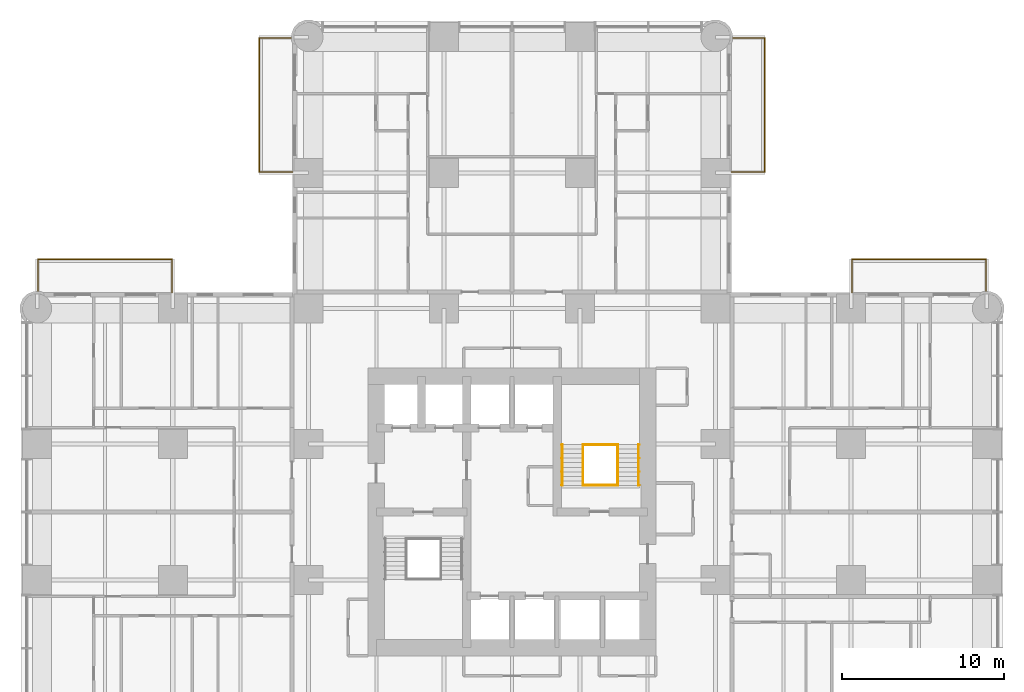
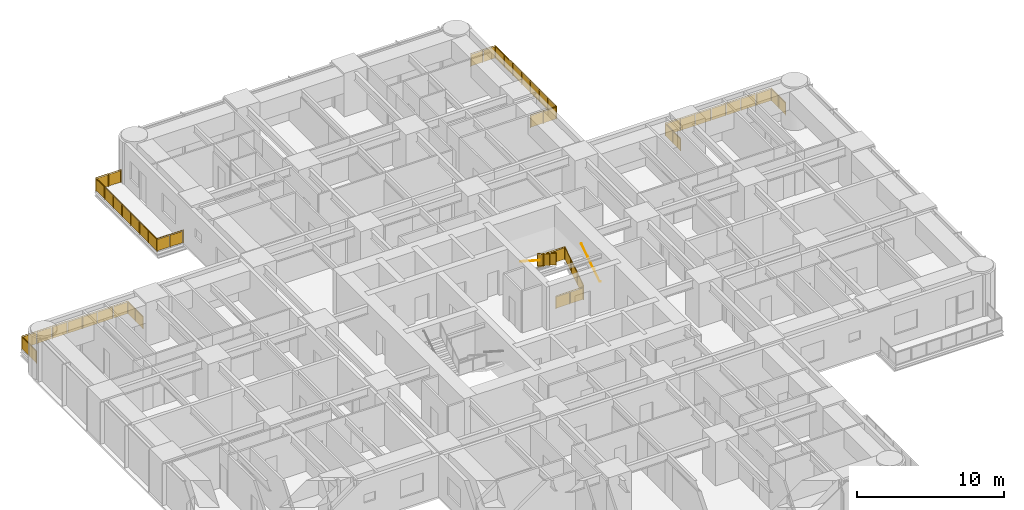
# One storey, part 17 of 17: 10 railings.
"""IFC4 building model written with IfcOpenShell, lengths in metres."""

from ifc_helpers import new_model, si_unit, direction, frame, origin, origin_2d, place, context, subcontext, project, spatial, polyline, circle, outline, extrude, material, constituent, constituent_set, type_object, element, save


model = new_model("IFC4")

# Units and contexts
model_context = context("Model", 3, precision=1e-05, world=origin(), true_north=direction((0.0, 1.0)))
body_context = subcontext(model_context, "Body", "Model", "MODEL_VIEW")
ifc_project = project(units=[si_unit("LENGTHUNIT", "METRE"), si_unit("AREAUNIT", "SQUARE_METRE"), si_unit("VOLUMEUNIT", "CUBIC_METRE"), si_unit("PLANEANGLEUNIT", "RADIAN"), si_unit("MASSUNIT", "GRAM", prefix="KILO")], contexts=[model_context])

# Site, building, storey
site_placement = place(None, origin())
site = spatial("IfcSite", under=ifc_project, at=site_placement, CompositionType="ELEMENT")
building_placement = place(site_placement, origin())
building = spatial("IfcBuilding", under=site, at=building_placement, Name="Torre Alcanfor", CompositionType="ELEMENT")
storey_placement = place(building_placement, frame((0.0, 0.0, 52.5)))
storey = spatial("IfcBuildingStorey", under=building, at=storey_placement, Name="L12", CompositionType="ELEMENT", Elevation=52.5)

# Railings
ifc_material_1 = material(Name="Laminated safety glass", Category="glass")
ifc_constituent_1 = constituent(ifc_material_1, Name="Infill")
ifc_material_2 = material(Name="Stainless steel ASTM A554 Grade MT 316L tube", Category="steel")
ifc_constituent_2 = constituent(ifc_material_2, Name="Posts and rail")
ifc_constituent_set = constituent_set(constituents=[ifc_constituent_1, ifc_constituent_2], Name="Balcony guard glass 1100")
railing_type_1 = type_object("IfcRailingType", Name="Balcony guard glass 1100", PredefinedType="BALUSTRADE", material=ifc_constituent_set)
railing_1_placement = place(storey_placement, frame((15.800048828125, 50.449951171875, 0.0)))
element("IfcRailing", 1, at=railing_1_placement, inside=storey, type_object=railing_type_1, Name="Balcony guard L12-N1", PredefinedType="BALUSTRADE", context=body_context, shape_type="SweptSolid", body=[
    extrude(circle(Radius=0.02392578125, at=origin_2d()), frame((0.0, 0.0, 1.076171875), z_axis=(-1.0, 0.0, 0.0), x_axis=(0.0, -1.0, 0.0)), (0.0, 0.0, 1.0), 2.050048828125),
    extrude(circle(Radius=0.02392578125, at=origin_2d()), frame((-2.050048828125, 0.0, 1.076171875), z_axis=(0.0, 1.0, 0.0), x_axis=(-1.0, 0.0, 0.0)), (0.0, 0.0, 1.0), 8.300048828125),
    extrude(circle(Radius=0.02392578125, at=origin_2d()), frame((-2.050048828125, 8.300048828125, 1.076171875), z_axis=(1.0, 0.0, 0.0), x_axis=(0.0, 1.0, 0.0)), (0.0, 0.0, 1.0), 1.968994140625),
    extrude(circle(Radius=0.02099609375, at=origin_2d()), origin(), (0.0, 0.0, 1.0), 1.052001953125),
    extrude(circle(Radius=0.02099609375, at=origin_2d()), frame((-1.02490234375, 0.0, 0.0)), (0.0, 0.0, 1.0), 1.052001953125),
    extrude(circle(Radius=0.02099609375, at=origin_2d()), frame((-2.050048828125, 0.0, 0.0)), (0.0, 0.0, 1.0), 1.052001953125),
    extrude(circle(Radius=0.02099609375, at=origin_2d()), frame((-2.050048828125, 1.185791015625, 0.0)), (0.0, 0.0, 1.0), 1.052001953125),
    extrude(circle(Radius=0.02099609375, at=origin_2d()), frame((-2.050048828125, 2.371337890625, 0.0)), (0.0, 0.0, 1.0), 1.052001953125),
    extrude(circle(Radius=0.02099609375, at=origin_2d()), frame((-2.050048828125, 3.55712890625, 0.0)), (0.0, 0.0, 1.0), 1.052001953125),
    extrude(circle(Radius=0.02099609375, at=origin_2d()), frame((-2.050048828125, 4.742919921875, 0.0)), (0.0, 0.0, 1.0), 1.052001953125),
    extrude(circle(Radius=0.02099609375, at=origin_2d()), frame((-2.050048828125, 5.9287109375, 0.0)), (0.0, 0.0, 1.0), 1.052001953125),
    extrude(circle(Radius=0.02099609375, at=origin_2d()), frame((-2.050048828125, 7.1142578125, 0.0)), (0.0, 0.0, 1.0), 1.052001953125),
    extrude(circle(Radius=0.02099609375, at=origin_2d()), frame((-2.050048828125, 8.300048828125, 0.0)), (0.0, 0.0, 1.0), 1.052001953125),
    extrude(circle(Radius=0.02099609375, at=origin_2d()), frame((-1.0654296875, 8.300048828125, 0.0)), (0.0, 0.0, 1.0), 1.052001953125),
    extrude(circle(Radius=0.02099609375, at=origin_2d()), frame((-0.0810546875, 8.300048828125, 0.0)), (0.0, 0.0, 1.0), 1.052001953125),
    extrude(outline(polyline([(0.041015625, 0.050048828125), (0.984130859375, 0.050048828125), (0.984130859375, 1.001953125), (0.041015625, 1.001953125), (0.041015625, 0.050048828125)])), frame((0.0, -0.005859375, 0.0), z_axis=(0.0, 1.0, 0.0), x_axis=(-1.0, 0.0, 0.0)), (0.0, 0.0, 1.0), 0.011962890625),
    extrude(outline(polyline([(1.06591796875, 0.050048828125), (2.009033203125, 0.050048828125), (2.009033203125, 1.001953125), (1.06591796875, 1.001953125), (1.06591796875, 0.050048828125)])), frame((0.0, -0.005859375, 0.0), z_axis=(0.0, 1.0, 0.0), x_axis=(-1.0, 0.0, 0.0)), (0.0, 0.0, 1.0), 0.011962890625),
    extrude(outline(polyline([(0.041015625, 0.050048828125), (1.144775390625, 0.050048828125), (1.144775390625, 1.001953125), (0.041015625, 1.001953125), (0.041015625, 0.050048828125)])), frame((-2.05615234375, 0.0, 0.0), z_axis=(1.0, 0.0, 0.0), x_axis=(0.0, 1.0, 0.0)), (0.0, 0.0, 1.0), 0.011962890625),
    extrude(outline(polyline([(1.226806640625, 0.050048828125), (2.330322265625, 0.050048828125), (2.330322265625, 1.001953125), (1.226806640625, 1.001953125), (1.226806640625, 0.050048828125)])), frame((-2.05615234375, 0.0, 0.0), z_axis=(1.0, 0.0, 0.0), x_axis=(0.0, 1.0, 0.0)), (0.0, 0.0, 1.0), 0.011962890625),
    extrude(outline(polyline([(2.412353515625, 0.050048828125), (3.51611328125, 0.050048828125), (3.51611328125, 1.001953125), (2.412353515625, 1.001953125), (2.412353515625, 0.050048828125)])), frame((-2.05615234375, 0.0, 0.0), z_axis=(1.0, 0.0, 0.0), x_axis=(0.0, 1.0, 0.0)), (0.0, 0.0, 1.0), 0.011962890625),
    extrude(outline(polyline([(3.59814453125, 0.050048828125), (4.701904296875, 0.050048828125), (4.701904296875, 1.001953125), (3.59814453125, 1.001953125), (3.59814453125, 0.050048828125)])), frame((-2.05615234375, 0.0, 0.0), z_axis=(1.0, 0.0, 0.0), x_axis=(0.0, 1.0, 0.0)), (0.0, 0.0, 1.0), 0.011962890625),
    extrude(outline(polyline([(4.783935546875, 0.050048828125), (5.8876953125, 0.050048828125), (5.8876953125, 1.001953125), (4.783935546875, 1.001953125), (4.783935546875, 0.050048828125)])), frame((-2.05615234375, 0.0, 0.0), z_axis=(1.0, 0.0, 0.0), x_axis=(0.0, 1.0, 0.0)), (0.0, 0.0, 1.0), 0.011962890625),
    extrude(outline(polyline([(5.9697265625, 0.050048828125), (7.0732421875, 0.050048828125), (7.0732421875, 1.001953125), (5.9697265625, 1.001953125), (5.9697265625, 0.050048828125)])), frame((-2.05615234375, 0.0, 0.0), z_axis=(1.0, 0.0, 0.0), x_axis=(0.0, 1.0, 0.0)), (0.0, 0.0, 1.0), 0.011962890625),
    extrude(outline(polyline([(7.1552734375, 0.050048828125), (8.259033203125, 0.050048828125), (8.259033203125, 1.001953125), (7.1552734375, 1.001953125), (7.1552734375, 0.050048828125)])), frame((-2.05615234375, 0.0, 0.0), z_axis=(1.0, 0.0, 0.0), x_axis=(0.0, 1.0, 0.0)), (0.0, 0.0, 1.0), 0.011962890625),
    extrude(outline(polyline([(0.041015625, 0.050048828125), (0.943603515625, 0.050048828125), (0.943603515625, 1.001953125), (0.041015625, 1.001953125), (0.041015625, 0.050048828125)])), frame((-2.050048828125, 8.30615234375, 0.0), z_axis=(0.0, -1.0, 0.0), x_axis=(1.0, 0.0, 0.0)), (0.0, 0.0, 1.0), 0.011962890625),
    extrude(outline(polyline([(1.025390625, 0.050048828125), (1.927978515625, 0.050048828125), (1.927978515625, 1.001953125), (1.025390625, 1.001953125), (1.025390625, 0.050048828125)])), frame((-2.050048828125, 8.30615234375, 0.0), z_axis=(0.0, -1.0, 0.0), x_axis=(1.0, 0.0, 0.0)), (0.0, 0.0, 1.0), 0.011962890625),
])
railing_2_placement = place(storey_placement, frame((43.0, 50.449951171875, 0.0)))
element("IfcRailing", 2, at=railing_2_placement, inside=storey, type_object=railing_type_1, Name="Balcony guard L12-N2", PredefinedType="BALUSTRADE", context=body_context, shape_type="SweptSolid", body=[
    extrude(circle(Radius=0.02392578125, at=origin_2d()), frame((0.0, 0.0, 1.076171875), z_axis=(1.0, 0.0, 0.0), x_axis=(0.0, 1.0, 0.0)), (0.0, 0.0, 1.0), 2.050048828125),
    extrude(circle(Radius=0.02392578125, at=origin_2d()), frame((2.050048828125, 0.0, 1.076171875), z_axis=(0.0, 1.0, 0.0), x_axis=(-1.0, 0.0, 0.0)), (0.0, 0.0, 1.0), 8.300048828125),
    extrude(circle(Radius=0.02392578125, at=origin_2d()), frame((2.050048828125, 8.300048828125, 1.076171875), z_axis=(-1.0, 0.0, 0.0), x_axis=(0.0, -1.0, 0.0)), (0.0, 0.0, 1.0), 1.968994140625),
    extrude(circle(Radius=0.02099609375, at=origin_2d()), origin(), (0.0, 0.0, 1.0), 1.052001953125),
    extrude(circle(Radius=0.02099609375, at=origin_2d()), frame((1.02490234375, 0.0, 0.0)), (0.0, 0.0, 1.0), 1.052001953125),
    extrude(circle(Radius=0.02099609375, at=origin_2d()), frame((2.050048828125, 0.0, 0.0)), (0.0, 0.0, 1.0), 1.052001953125),
    extrude(circle(Radius=0.02099609375, at=origin_2d()), frame((2.050048828125, 1.185791015625, 0.0)), (0.0, 0.0, 1.0), 1.052001953125),
    extrude(circle(Radius=0.02099609375, at=origin_2d()), frame((2.050048828125, 2.371337890625, 0.0)), (0.0, 0.0, 1.0), 1.052001953125),
    extrude(circle(Radius=0.02099609375, at=origin_2d()), frame((2.050048828125, 3.55712890625, 0.0)), (0.0, 0.0, 1.0), 1.052001953125),
    extrude(circle(Radius=0.02099609375, at=origin_2d()), frame((2.050048828125, 4.742919921875, 0.0)), (0.0, 0.0, 1.0), 1.052001953125),
    extrude(circle(Radius=0.02099609375, at=origin_2d()), frame((2.050048828125, 5.9287109375, 0.0)), (0.0, 0.0, 1.0), 1.052001953125),
    extrude(circle(Radius=0.02099609375, at=origin_2d()), frame((2.050048828125, 7.1142578125, 0.0)), (0.0, 0.0, 1.0), 1.052001953125),
    extrude(circle(Radius=0.02099609375, at=origin_2d()), frame((2.050048828125, 8.300048828125, 0.0)), (0.0, 0.0, 1.0), 1.052001953125),
    extrude(circle(Radius=0.02099609375, at=origin_2d()), frame((1.0654296875, 8.300048828125, 0.0)), (0.0, 0.0, 1.0), 1.052001953125),
    extrude(circle(Radius=0.02099609375, at=origin_2d()), frame((0.0810546875, 8.300048828125, 0.0)), (0.0, 0.0, 1.0), 1.052001953125),
    extrude(outline(polyline([(0.041015625, 0.050048828125), (0.984130859375, 0.050048828125), (0.984130859375, 1.001953125), (0.041015625, 1.001953125), (0.041015625, 0.050048828125)])), frame((0.0, 0.005859375, 0.0), z_axis=(0.0, -1.0, 0.0), x_axis=(1.0, 0.0, 0.0)), (0.0, 0.0, 1.0), 0.011962890625),
    extrude(outline(polyline([(1.06591796875, 0.050048828125), (2.009033203125, 0.050048828125), (2.009033203125, 1.001953125), (1.06591796875, 1.001953125), (1.06591796875, 0.050048828125)])), frame((0.0, 0.005859375, 0.0), z_axis=(0.0, -1.0, 0.0), x_axis=(1.0, 0.0, 0.0)), (0.0, 0.0, 1.0), 0.011962890625),
    extrude(outline(polyline([(0.041015625, 0.050048828125), (1.144775390625, 0.050048828125), (1.144775390625, 1.001953125), (0.041015625, 1.001953125), (0.041015625, 0.050048828125)])), frame((2.0439453125, 0.0, 0.0), z_axis=(1.0, 0.0, 0.0), x_axis=(0.0, 1.0, 0.0)), (0.0, 0.0, 1.0), 0.011962890625),
    extrude(outline(polyline([(1.226806640625, 0.050048828125), (2.330322265625, 0.050048828125), (2.330322265625, 1.001953125), (1.226806640625, 1.001953125), (1.226806640625, 0.050048828125)])), frame((2.0439453125, 0.0, 0.0), z_axis=(1.0, 0.0, 0.0), x_axis=(0.0, 1.0, 0.0)), (0.0, 0.0, 1.0), 0.011962890625),
    extrude(outline(polyline([(2.412353515625, 0.050048828125), (3.51611328125, 0.050048828125), (3.51611328125, 1.001953125), (2.412353515625, 1.001953125), (2.412353515625, 0.050048828125)])), frame((2.0439453125, 0.0, 0.0), z_axis=(1.0, 0.0, 0.0), x_axis=(0.0, 1.0, 0.0)), (0.0, 0.0, 1.0), 0.011962890625),
    extrude(outline(polyline([(3.59814453125, 0.050048828125), (4.701904296875, 0.050048828125), (4.701904296875, 1.001953125), (3.59814453125, 1.001953125), (3.59814453125, 0.050048828125)])), frame((2.0439453125, 0.0, 0.0), z_axis=(1.0, 0.0, 0.0), x_axis=(0.0, 1.0, 0.0)), (0.0, 0.0, 1.0), 0.011962890625),
    extrude(outline(polyline([(4.783935546875, 0.050048828125), (5.8876953125, 0.050048828125), (5.8876953125, 1.001953125), (4.783935546875, 1.001953125), (4.783935546875, 0.050048828125)])), frame((2.0439453125, 0.0, 0.0), z_axis=(1.0, 0.0, 0.0), x_axis=(0.0, 1.0, 0.0)), (0.0, 0.0, 1.0), 0.011962890625),
    extrude(outline(polyline([(5.9697265625, 0.050048828125), (7.0732421875, 0.050048828125), (7.0732421875, 1.001953125), (5.9697265625, 1.001953125), (5.9697265625, 0.050048828125)])), frame((2.0439453125, 0.0, 0.0), z_axis=(1.0, 0.0, 0.0), x_axis=(0.0, 1.0, 0.0)), (0.0, 0.0, 1.0), 0.011962890625),
    extrude(outline(polyline([(7.1552734375, 0.050048828125), (8.259033203125, 0.050048828125), (8.259033203125, 1.001953125), (7.1552734375, 1.001953125), (7.1552734375, 0.050048828125)])), frame((2.0439453125, 0.0, 0.0), z_axis=(1.0, 0.0, 0.0), x_axis=(0.0, 1.0, 0.0)), (0.0, 0.0, 1.0), 0.011962890625),
    extrude(outline(polyline([(0.041015625, 0.050048828125), (0.943603515625, 0.050048828125), (0.943603515625, 1.001953125), (0.041015625, 1.001953125), (0.041015625, 0.050048828125)])), frame((2.050048828125, 8.2939453125, 0.0), z_axis=(0.0, 1.0, 0.0), x_axis=(-1.0, 0.0, 0.0)), (0.0, 0.0, 1.0), 0.011962890625),
    extrude(outline(polyline([(1.025390625, 0.050048828125), (1.927978515625, 0.050048828125), (1.927978515625, 1.001953125), (1.025390625, 1.001953125), (1.025390625, 0.050048828125)])), frame((2.050048828125, 8.2939453125, 0.0), z_axis=(0.0, 1.0, 0.0), x_axis=(-1.0, 0.0, 0.0)), (0.0, 0.0, 1.0), 0.011962890625),
])
railing_3_placement = place(storey_placement, frame((50.449951171875, 43.0, 0.0)))
element("IfcRailing", 3, at=railing_3_placement, inside=storey, type_object=railing_type_1, Name="Balcony guard L12-E1", PredefinedType="BALUSTRADE", context=body_context, shape_type="SweptSolid", body=[
    extrude(circle(Radius=0.02392578125, at=origin_2d()), frame((0.0, 0.0, 1.076171875), z_axis=(0.0, 1.0, 0.0), x_axis=(-1.0, 0.0, 0.0)), (0.0, 0.0, 1.0), 2.050048828125),
    extrude(circle(Radius=0.02392578125, at=origin_2d()), frame((0.0, 2.050048828125, 1.076171875), z_axis=(1.0, 0.0, 0.0), x_axis=(0.0, 1.0, 0.0)), (0.0, 0.0, 1.0), 8.300048828125),
    extrude(circle(Radius=0.02392578125, at=origin_2d()), frame((8.300048828125, 2.050048828125, 1.076171875), z_axis=(0.0, -1.0, 0.0), x_axis=(1.0, 0.0, 0.0)), (0.0, 0.0, 1.0), 1.968994140625),
    extrude(circle(Radius=0.02099609375, at=origin_2d()), origin(), (0.0, 0.0, 1.0), 1.052001953125),
    extrude(circle(Radius=0.02099609375, at=origin_2d()), frame((0.0, 1.02490234375, 0.0)), (0.0, 0.0, 1.0), 1.052001953125),
    extrude(circle(Radius=0.02099609375, at=origin_2d()), frame((0.0, 2.050048828125, 0.0)), (0.0, 0.0, 1.0), 1.052001953125),
    extrude(circle(Radius=0.02099609375, at=origin_2d()), frame((1.185791015625, 2.050048828125, 0.0)), (0.0, 0.0, 1.0), 1.052001953125),
    extrude(circle(Radius=0.02099609375, at=origin_2d()), frame((2.371337890625, 2.050048828125, 0.0)), (0.0, 0.0, 1.0), 1.052001953125),
    extrude(circle(Radius=0.02099609375, at=origin_2d()), frame((3.55712890625, 2.050048828125, 0.0)), (0.0, 0.0, 1.0), 1.052001953125),
    extrude(circle(Radius=0.02099609375, at=origin_2d()), frame((4.742919921875, 2.050048828125, 0.0)), (0.0, 0.0, 1.0), 1.052001953125),
    extrude(circle(Radius=0.02099609375, at=origin_2d()), frame((5.9287109375, 2.050048828125, 0.0)), (0.0, 0.0, 1.0), 1.052001953125),
    extrude(circle(Radius=0.02099609375, at=origin_2d()), frame((7.1142578125, 2.050048828125, 0.0)), (0.0, 0.0, 1.0), 1.052001953125),
    extrude(circle(Radius=0.02099609375, at=origin_2d()), frame((8.300048828125, 2.050048828125, 0.0)), (0.0, 0.0, 1.0), 1.052001953125),
    extrude(circle(Radius=0.02099609375, at=origin_2d()), frame((8.300048828125, 1.0654296875, 0.0)), (0.0, 0.0, 1.0), 1.052001953125),
    extrude(circle(Radius=0.02099609375, at=origin_2d()), frame((8.300048828125, 0.0810546875, 0.0)), (0.0, 0.0, 1.0), 1.052001953125),
    extrude(outline(polyline([(0.041015625, 0.050048828125), (0.984130859375, 0.050048828125), (0.984130859375, 1.001953125), (0.041015625, 1.001953125), (0.041015625, 0.050048828125)])), frame((-0.005859375, 0.0, 0.0), z_axis=(1.0, 0.0, 0.0), x_axis=(0.0, 1.0, 0.0)), (0.0, 0.0, 1.0), 0.011962890625),
    extrude(outline(polyline([(1.06591796875, 0.050048828125), (2.009033203125, 0.050048828125), (2.009033203125, 1.001953125), (1.06591796875, 1.001953125), (1.06591796875, 0.050048828125)])), frame((-0.005859375, 0.0, 0.0), z_axis=(1.0, 0.0, 0.0), x_axis=(0.0, 1.0, 0.0)), (0.0, 0.0, 1.0), 0.011962890625),
    extrude(outline(polyline([(0.041015625, 0.050048828125), (1.144775390625, 0.050048828125), (1.144775390625, 1.001953125), (0.041015625, 1.001953125), (0.041015625, 0.050048828125)])), frame((0.0, 2.05615234375, 0.0), z_axis=(0.0, -1.0, 0.0), x_axis=(1.0, 0.0, 0.0)), (0.0, 0.0, 1.0), 0.011962890625),
    extrude(outline(polyline([(1.226806640625, 0.050048828125), (2.330322265625, 0.050048828125), (2.330322265625, 1.001953125), (1.226806640625, 1.001953125), (1.226806640625, 0.050048828125)])), frame((0.0, 2.05615234375, 0.0), z_axis=(0.0, -1.0, 0.0), x_axis=(1.0, 0.0, 0.0)), (0.0, 0.0, 1.0), 0.011962890625),
    extrude(outline(polyline([(2.412353515625, 0.050048828125), (3.51611328125, 0.050048828125), (3.51611328125, 1.001953125), (2.412353515625, 1.001953125), (2.412353515625, 0.050048828125)])), frame((0.0, 2.05615234375, 0.0), z_axis=(0.0, -1.0, 0.0), x_axis=(1.0, 0.0, 0.0)), (0.0, 0.0, 1.0), 0.011962890625),
    extrude(outline(polyline([(3.59814453125, 0.050048828125), (4.701904296875, 0.050048828125), (4.701904296875, 1.001953125), (3.59814453125, 1.001953125), (3.59814453125, 0.050048828125)])), frame((0.0, 2.05615234375, 0.0), z_axis=(0.0, -1.0, 0.0), x_axis=(1.0, 0.0, 0.0)), (0.0, 0.0, 1.0), 0.011962890625),
    extrude(outline(polyline([(4.783935546875, 0.050048828125), (5.8876953125, 0.050048828125), (5.8876953125, 1.001953125), (4.783935546875, 1.001953125), (4.783935546875, 0.050048828125)])), frame((0.0, 2.05615234375, 0.0), z_axis=(0.0, -1.0, 0.0), x_axis=(1.0, 0.0, 0.0)), (0.0, 0.0, 1.0), 0.011962890625),
    extrude(outline(polyline([(5.9697265625, 0.050048828125), (7.0732421875, 0.050048828125), (7.0732421875, 1.001953125), (5.9697265625, 1.001953125), (5.9697265625, 0.050048828125)])), frame((0.0, 2.05615234375, 0.0), z_axis=(0.0, -1.0, 0.0), x_axis=(1.0, 0.0, 0.0)), (0.0, 0.0, 1.0), 0.011962890625),
    extrude(outline(polyline([(7.1552734375, 0.050048828125), (8.259033203125, 0.050048828125), (8.259033203125, 1.001953125), (7.1552734375, 1.001953125), (7.1552734375, 0.050048828125)])), frame((0.0, 2.05615234375, 0.0), z_axis=(0.0, -1.0, 0.0), x_axis=(1.0, 0.0, 0.0)), (0.0, 0.0, 1.0), 0.011962890625),
    extrude(outline(polyline([(0.041015625, 0.050048828125), (0.943603515625, 0.050048828125), (0.943603515625, 1.001953125), (0.041015625, 1.001953125), (0.041015625, 0.050048828125)])), frame((8.30615234375, 2.050048828125, 0.0), z_axis=(-1.0, 0.0, 0.0), x_axis=(0.0, -1.0, 0.0)), (0.0, 0.0, 1.0), 0.011962890625),
    extrude(outline(polyline([(1.025390625, 0.050048828125), (1.927978515625, 0.050048828125), (1.927978515625, 1.001953125), (1.025390625, 1.001953125), (1.025390625, 0.050048828125)])), frame((8.30615234375, 2.050048828125, 0.0), z_axis=(-1.0, 0.0, 0.0), x_axis=(0.0, -1.0, 0.0)), (0.0, 0.0, 1.0), 0.011962890625),
])
railing_4_placement = place(storey_placement, frame((8.35009765625, 43.0, 0.0)))
element("IfcRailing", 4, at=railing_4_placement, inside=storey, type_object=railing_type_1, Name="Balcony guard L12-W2", PredefinedType="BALUSTRADE", context=body_context, shape_type="SweptSolid", body=[
    extrude(circle(Radius=0.02392578125, at=origin_2d()), frame((0.0, 0.0, 1.076171875), z_axis=(0.0, 1.0, 0.0), x_axis=(-1.0, 0.0, 0.0)), (0.0, 0.0, 1.0), 2.050048828125),
    extrude(circle(Radius=0.02392578125, at=origin_2d()), frame((0.0, 2.050048828125, 1.076171875), z_axis=(-1.0, 0.0, 0.0), x_axis=(0.0, -1.0, 0.0)), (0.0, 0.0, 1.0), 8.300048828125),
    extrude(circle(Radius=0.02392578125, at=origin_2d()), frame((-8.300048828125, 2.050048828125, 1.076171875), z_axis=(0.0, -1.0, 0.0), x_axis=(1.0, 0.0, 0.0)), (0.0, 0.0, 1.0), 1.968994140625),
    extrude(circle(Radius=0.02099609375, at=origin_2d()), origin(), (0.0, 0.0, 1.0), 1.052001953125),
    extrude(circle(Radius=0.02099609375, at=origin_2d()), frame((0.0, 1.02490234375, 0.0)), (0.0, 0.0, 1.0), 1.052001953125),
    extrude(circle(Radius=0.02099609375, at=origin_2d()), frame((0.0, 2.050048828125, 0.0)), (0.0, 0.0, 1.0), 1.052001953125),
    extrude(circle(Radius=0.02099609375, at=origin_2d()), frame((-1.185791015625, 2.050048828125, 0.0)), (0.0, 0.0, 1.0), 1.052001953125),
    extrude(circle(Radius=0.02099609375, at=origin_2d()), frame((-2.371337890625, 2.050048828125, 0.0)), (0.0, 0.0, 1.0), 1.052001953125),
    extrude(circle(Radius=0.02099609375, at=origin_2d()), frame((-3.55712890625, 2.050048828125, 0.0)), (0.0, 0.0, 1.0), 1.052001953125),
    extrude(circle(Radius=0.02099609375, at=origin_2d()), frame((-4.742919921875, 2.050048828125, 0.0)), (0.0, 0.0, 1.0), 1.052001953125),
    extrude(circle(Radius=0.02099609375, at=origin_2d()), frame((-5.9287109375, 2.050048828125, 0.0)), (0.0, 0.0, 1.0), 1.052001953125),
    extrude(circle(Radius=0.02099609375, at=origin_2d()), frame((-7.1142578125, 2.050048828125, 0.0)), (0.0, 0.0, 1.0), 1.052001953125),
    extrude(circle(Radius=0.02099609375, at=origin_2d()), frame((-8.300048828125, 2.050048828125, 0.0)), (0.0, 0.0, 1.0), 1.052001953125),
    extrude(circle(Radius=0.02099609375, at=origin_2d()), frame((-8.300048828125, 1.0654296875, 0.0)), (0.0, 0.0, 1.0), 1.052001953125),
    extrude(circle(Radius=0.02099609375, at=origin_2d()), frame((-8.300048828125, 0.0810546875, 0.0)), (0.0, 0.0, 1.0), 1.052001953125),
    extrude(outline(polyline([(0.041015625, 0.050048828125), (0.984130859375, 0.050048828125), (0.984130859375, 1.001953125), (0.041015625, 1.001953125), (0.041015625, 0.050048828125)])), frame((-0.005859375, 0.0, 0.0), z_axis=(1.0, 0.0, 0.0), x_axis=(0.0, 1.0, 0.0)), (0.0, 0.0, 1.0), 0.011962890625),
    extrude(outline(polyline([(1.06591796875, 0.050048828125), (2.009033203125, 0.050048828125), (2.009033203125, 1.001953125), (1.06591796875, 1.001953125), (1.06591796875, 0.050048828125)])), frame((-0.005859375, 0.0, 0.0), z_axis=(1.0, 0.0, 0.0), x_axis=(0.0, 1.0, 0.0)), (0.0, 0.0, 1.0), 0.011962890625),
    extrude(outline(polyline([(0.041015625, 0.050048828125), (1.144775390625, 0.050048828125), (1.144775390625, 1.001953125), (0.041015625, 1.001953125), (0.041015625, 0.050048828125)])), frame((0.0, 2.0439453125, 0.0), z_axis=(0.0, 1.0, 0.0), x_axis=(-1.0, 0.0, 0.0)), (0.0, 0.0, 1.0), 0.011962890625),
    extrude(outline(polyline([(1.226806640625, 0.050048828125), (2.330322265625, 0.050048828125), (2.330322265625, 1.001953125), (1.226806640625, 1.001953125), (1.226806640625, 0.050048828125)])), frame((0.0, 2.0439453125, 0.0), z_axis=(0.0, 1.0, 0.0), x_axis=(-1.0, 0.0, 0.0)), (0.0, 0.0, 1.0), 0.011962890625),
    extrude(outline(polyline([(2.412353515625, 0.050048828125), (3.51611328125, 0.050048828125), (3.51611328125, 1.001953125), (2.412353515625, 1.001953125), (2.412353515625, 0.050048828125)])), frame((0.0, 2.0439453125, 0.0), z_axis=(0.0, 1.0, 0.0), x_axis=(-1.0, 0.0, 0.0)), (0.0, 0.0, 1.0), 0.011962890625),
    extrude(outline(polyline([(3.59814453125, 0.050048828125), (4.701904296875, 0.050048828125), (4.701904296875, 1.001953125), (3.59814453125, 1.001953125), (3.59814453125, 0.050048828125)])), frame((0.0, 2.0439453125, 0.0), z_axis=(0.0, 1.0, 0.0), x_axis=(-1.0, 0.0, 0.0)), (0.0, 0.0, 1.0), 0.011962890625),
    extrude(outline(polyline([(4.783935546875, 0.050048828125), (5.8876953125, 0.050048828125), (5.8876953125, 1.001953125), (4.783935546875, 1.001953125), (4.783935546875, 0.050048828125)])), frame((0.0, 2.0439453125, 0.0), z_axis=(0.0, 1.0, 0.0), x_axis=(-1.0, 0.0, 0.0)), (0.0, 0.0, 1.0), 0.011962890625),
    extrude(outline(polyline([(5.9697265625, 0.050048828125), (7.0732421875, 0.050048828125), (7.0732421875, 1.001953125), (5.9697265625, 1.001953125), (5.9697265625, 0.050048828125)])), frame((0.0, 2.0439453125, 0.0), z_axis=(0.0, 1.0, 0.0), x_axis=(-1.0, 0.0, 0.0)), (0.0, 0.0, 1.0), 0.011962890625),
    extrude(outline(polyline([(7.1552734375, 0.050048828125), (8.259033203125, 0.050048828125), (8.259033203125, 1.001953125), (7.1552734375, 1.001953125), (7.1552734375, 0.050048828125)])), frame((0.0, 2.0439453125, 0.0), z_axis=(0.0, 1.0, 0.0), x_axis=(-1.0, 0.0, 0.0)), (0.0, 0.0, 1.0), 0.011962890625),
    extrude(outline(polyline([(0.041015625, 0.050048828125), (0.943603515625, 0.050048828125), (0.943603515625, 1.001953125), (0.041015625, 1.001953125), (0.041015625, 0.050048828125)])), frame((-8.2939453125, 2.050048828125, 0.0), z_axis=(-1.0, 0.0, 0.0), x_axis=(0.0, -1.0, 0.0)), (0.0, 0.0, 1.0), 0.011962890625),
    extrude(outline(polyline([(1.025390625, 0.050048828125), (1.927978515625, 0.050048828125), (1.927978515625, 1.001953125), (1.025390625, 1.001953125), (1.025390625, 0.050048828125)])), frame((-8.2939453125, 2.050048828125, 0.0), z_axis=(-1.0, 0.0, 0.0), x_axis=(0.0, -1.0, 0.0)), (0.0, 0.0, 1.0), 0.011962890625),
])
ifc_material_3 = material(Name="Steel ASTM A500 Grade C hollow sections", Category="steel")
railing_type_2 = type_object("IfcRailingType", Name="Stair guard and handrail 1100", PredefinedType="GUARDRAIL", material=ifc_material_3)
railing_5_placement = place(storey_placement, frame((35.949951171875, 31.050048828125, 0.179931640625)))
element("IfcRailing", 5, at=railing_5_placement, inside=storey, type_object=railing_type_2, Name="Stair guard S2 L12 flight 1", PredefinedType="GUARDRAIL", context=body_context, shape_type="SweptSolid", body=[
    extrude(circle(Radius=0.02392578125, at=origin_2d()), frame((0.0, 0.0, 1.076171875), z_axis=(0.0, 0.841162588446, 0.540782303519), x_axis=(-1.0, 0.0, 0.0)), (0.0, 0.0, 1.0), 2.995849609375),
    extrude(circle(Radius=0.02099609375, at=origin_2d()), origin(), (0.0, 0.0, 1.0), 1.052001953125),
    extrude(circle(Radius=0.02099609375, at=origin_2d()), frame((0.0, 0.840087890625, 0.5400390625)), (0.0, 0.0, 1.0), 1.052001953125),
    extrude(circle(Radius=0.02099609375, at=origin_2d()), frame((0.0, 1.679931640625, 1.080078125)), (0.0, 0.0, 1.0), 1.052001953125),
    extrude(circle(Radius=0.02099609375, at=origin_2d()), frame((0.0, 2.52001953125, 1.6201171875)), (0.0, 0.0, 1.0), 1.052001953125),
    extrude(outline(polyline([(0.041015625, 0.076416015625), (0.799072265625, 0.563720703125), (0.799072265625, 1.515625), (0.041015625, 1.0283203125), (0.041015625, 0.076416015625)])), frame((-0.005859375, 0.0, 0.0), z_axis=(1.0, 0.0, 0.0), x_axis=(0.0, 1.0, 0.0)), (0.0, 0.0, 1.0), 0.011962890625),
    extrude(outline(polyline([(0.881103515625, 0.616455078125), (1.638916015625, 1.103759765625), (1.638916015625, 2.0556640625), (0.881103515625, 1.568359375), (0.881103515625, 0.616455078125)])), frame((-0.005859375, 0.0, 0.0), z_axis=(1.0, 0.0, 0.0), x_axis=(0.0, 1.0, 0.0)), (0.0, 0.0, 1.0), 0.011962890625),
    extrude(outline(polyline([(1.720947265625, 1.156494140625), (2.47900390625, 1.643798828125), (2.47900390625, 2.595703125), (1.720947265625, 2.1083984375), (1.720947265625, 1.156494140625)])), frame((-0.005859375, 0.0, 0.0), z_axis=(1.0, 0.0, 0.0), x_axis=(0.0, 1.0, 0.0)), (0.0, 0.0, 1.0), 0.011962890625),
])
railing_6_placement = place(storey_placement, frame((33.800048828125, 33.570068359375, 1.97998046875)))
element("IfcRailing", 6, at=railing_6_placement, inside=storey, type_object=railing_type_2, Name="Stair guard S2 L12 flight 2", PredefinedType="GUARDRAIL", context=body_context, shape_type="SweptSolid", body=[
    extrude(circle(Radius=0.02392578125, at=origin_2d()), frame((0.0, 0.0, 1.076171875), z_axis=(0.0, -0.841162588446, 0.540782303519), x_axis=(1.0, 0.0, 0.0)), (0.0, 0.0, 1.0), 2.995849609375),
    extrude(circle(Radius=0.02099609375, at=origin_2d()), origin(), (0.0, 0.0, 1.0), 1.052001953125),
    extrude(circle(Radius=0.02099609375, at=origin_2d()), frame((0.0, -0.840087890625, 0.5400390625)), (0.0, 0.0, 1.0), 1.052001953125),
    extrude(circle(Radius=0.02099609375, at=origin_2d()), frame((0.0, -1.679931640625, 1.080078125)), (0.0, 0.0, 1.0), 1.052001953125),
    extrude(circle(Radius=0.02099609375, at=origin_2d()), frame((0.0, -2.52001953125, 1.6201171875)), (0.0, 0.0, 1.0), 1.052001953125),
    extrude(outline(polyline([(0.041015625, 0.076416015625), (0.799072265625, 0.563720703125), (0.799072265625, 1.515625), (0.041015625, 1.0283203125), (0.041015625, 0.076416015625)])), frame((0.005859375, 0.0, 0.0), z_axis=(-1.0, 0.0, 0.0), x_axis=(0.0, -1.0, 0.0)), (0.0, 0.0, 1.0), 0.011962890625),
    extrude(outline(polyline([(0.881103515625, 0.616455078125), (1.638916015625, 1.103759765625), (1.638916015625, 2.0556640625), (0.881103515625, 1.568359375), (0.881103515625, 0.616455078125)])), frame((0.005859375, 0.0, 0.0), z_axis=(-1.0, 0.0, 0.0), x_axis=(0.0, -1.0, 0.0)), (0.0, 0.0, 1.0), 0.011962890625),
    extrude(outline(polyline([(1.720947265625, 1.156494140625), (2.47900390625, 1.643798828125), (2.47900390625, 2.595703125), (1.720947265625, 2.1083984375), (1.720947265625, 1.156494140625)])), frame((0.005859375, 0.0, 0.0), z_axis=(-1.0, 0.0, 0.0), x_axis=(0.0, -1.0, 0.0)), (0.0, 0.0, 1.0), 0.011962890625),
])
for number, where, name in (
    (7, (33.800048828125, 31.050048828125, 0.0), "Stair well guard S2 L12 floor landing"),
    (8, (33.800048828125, 33.570068359375, 1.800048828125), "Stair well guard S2 L12 half landing"),
):
    element("IfcRailing", number, at=place(storey_placement, frame(where)), inside=storey, type_object=railing_type_2, Name=name, PredefinedType="GUARDRAIL", context=body_context, shape_type="SweptSolid", body=[
        extrude(circle(Radius=0.02392578125, at=origin_2d()), frame((0.0, 0.0, 1.076171875), z_axis=(1.0, 0.0, 0.0), x_axis=(0.0, 1.0, 0.0)), (0.0, 0.0, 1.0), 2.14990234375),
        extrude(circle(Radius=0.02099609375, at=origin_2d()), origin(), (0.0, 0.0, 1.0), 1.052001953125),
        extrude(circle(Radius=0.02099609375, at=origin_2d()), frame((1.074951171875, 0.0, 0.0)), (0.0, 0.0, 1.0), 1.052001953125),
        extrude(circle(Radius=0.02099609375, at=origin_2d()), frame((2.14990234375, 0.0, 0.0)), (0.0, 0.0, 1.0), 1.052001953125),
        extrude(outline(polyline([(0.041015625, 0.050048828125), (1.033935546875, 0.050048828125), (1.033935546875, 1.001953125), (0.041015625, 1.001953125), (0.041015625, 0.050048828125)])), frame((0.0, 0.005859375, 0.0), z_axis=(0.0, -1.0, 0.0), x_axis=(1.0, 0.0, 0.0)), (0.0, 0.0, 1.0), 0.011962890625),
        extrude(outline(polyline([(1.115966796875, 0.050048828125), (2.10888671875, 0.050048828125), (2.10888671875, 1.001953125), (1.115966796875, 1.001953125), (1.115966796875, 0.050048828125)])), frame((0.0, 0.005859375, 0.0), z_axis=(0.0, -1.0, 0.0), x_axis=(1.0, 0.0, 0.0)), (0.0, 0.0, 1.0), 0.011962890625),
    ])
ifc_material_4 = material(Name="Steel ASTM A500 Grade C hollow sections", Category="steel")
railing_type_3 = type_object("IfcRailingType", Name="Stair wall handrail 900", PredefinedType="HANDRAIL", material=ifc_material_4)
railing_7_placement = place(storey_placement, frame((37.235107421875, 31.050048828125, 0.179931640625)))
element("IfcRailing", 9, at=railing_7_placement, inside=storey, type_object=railing_type_3, Name="Stair handrail S2 L12 flight 1", PredefinedType="HANDRAIL", context=body_context, shape_type="SweptSolid", body=[
    extrude(circle(Radius=0.02392578125, at=origin_2d()), frame((0.0, 0.0, 0.8759765625), z_axis=(0.0, 0.841162588446, 0.540782303519), x_axis=(-1.0, 0.0, 0.0)), (0.0, 0.0, 1.0), 2.995849609375),
    extrude(circle(Radius=0.008056640625, at=origin_2d()), frame((0.0, 0.0, 0.8759765625), z_axis=(1.0, 0.0, 0.0), x_axis=(0.0, 0.0, 1.0)), (0.0, 0.0, 1.0), 0.06494140625),
    extrude(circle(Radius=0.008056640625, at=origin_2d()), frame((0.0, 0.840087890625, 1.416015625), z_axis=(1.0, 0.0, 0.0), x_axis=(0.0, 0.0, 1.0)), (0.0, 0.0, 1.0), 0.06494140625),
    extrude(circle(Radius=0.008056640625, at=origin_2d()), frame((0.0, 1.679931640625, 1.9560546875), z_axis=(1.0, 0.0, 0.0), x_axis=(0.0, 0.0, 1.0)), (0.0, 0.0, 1.0), 0.06494140625),
    extrude(circle(Radius=0.008056640625, at=origin_2d()), frame((0.0, 2.52001953125, 2.49609375), z_axis=(1.0, 0.0, 0.0), x_axis=(0.0, 0.0, 1.0)), (0.0, 0.0, 1.0), 0.06494140625),
])
railing_8_placement = place(storey_placement, frame((32.514892578125, 33.570068359375, 1.97998046875)))
element("IfcRailing", 10, at=railing_8_placement, inside=storey, type_object=railing_type_3, Name="Stair handrail S2 L12 flight 2", PredefinedType="HANDRAIL", context=body_context, shape_type="SweptSolid", body=[
    extrude(circle(Radius=0.02392578125, at=origin_2d()), frame((0.0, 0.0, 0.8759765625), z_axis=(0.0, -0.841162588446, 0.540782303519), x_axis=(1.0, 0.0, 0.0)), (0.0, 0.0, 1.0), 2.995849609375),
    extrude(circle(Radius=0.008056640625, at=origin_2d()), frame((0.0, 0.0, 0.8759765625), z_axis=(-1.0, 0.0, 0.0), x_axis=(0.0, 0.0, 1.0)), (0.0, 0.0, 1.0), 0.06494140625),
    extrude(circle(Radius=0.008056640625, at=origin_2d()), frame((0.0, -0.840087890625, 1.416015625), z_axis=(-1.0, 0.0, 0.0), x_axis=(0.0, 0.0, 1.0)), (0.0, 0.0, 1.0), 0.06494140625),
    extrude(circle(Radius=0.008056640625, at=origin_2d()), frame((0.0, -1.679931640625, 1.9560546875), z_axis=(-1.0, 0.0, 0.0), x_axis=(0.0, 0.0, 1.0)), (0.0, 0.0, 1.0), 0.06494140625),
    extrude(circle(Radius=0.008056640625, at=origin_2d()), frame((0.0, -2.52001953125, 2.49609375), z_axis=(-1.0, 0.0, 0.0), x_axis=(0.0, 0.0, 1.0)), (0.0, 0.0, 1.0), 0.06494140625),
])

save(model, "model.ifc")
